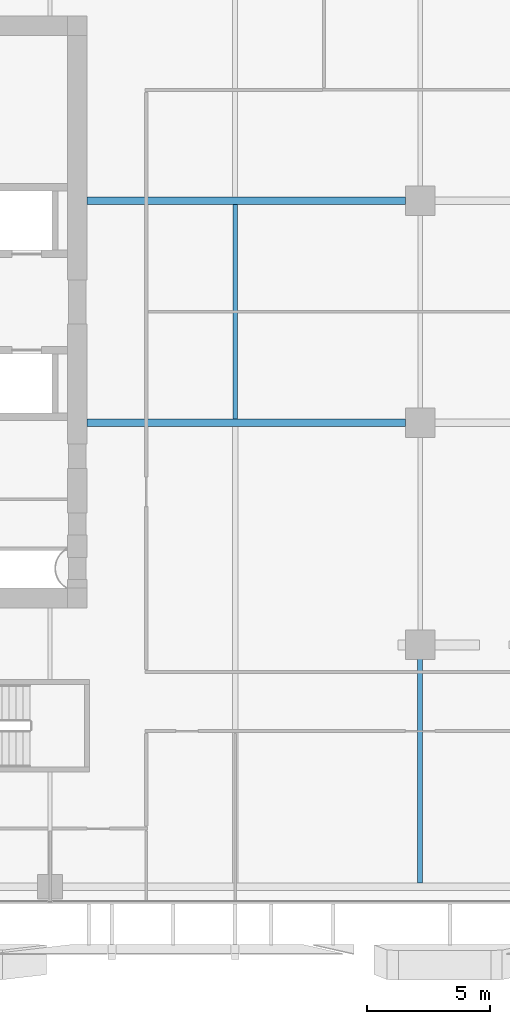
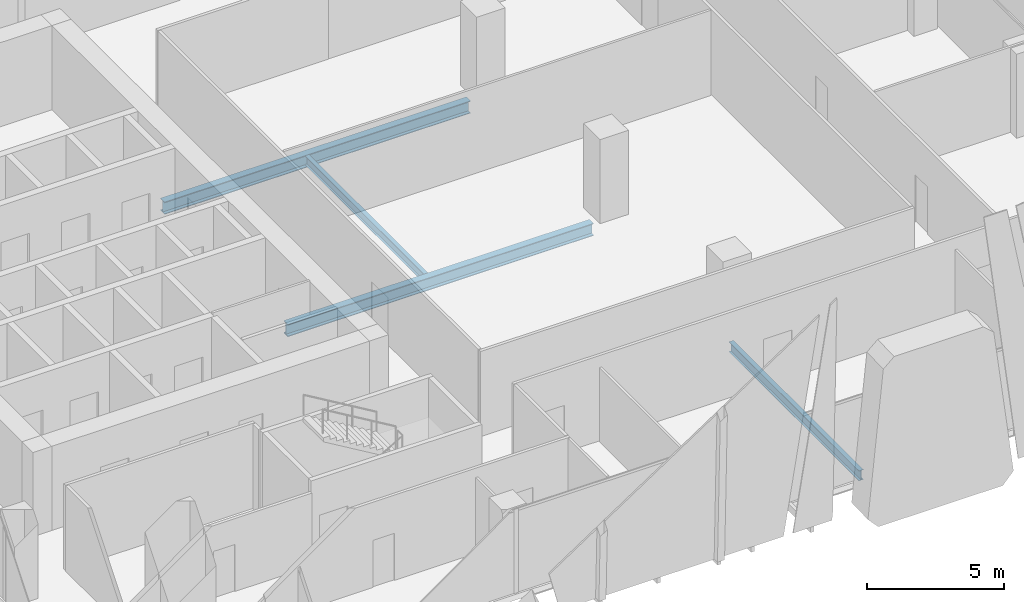
# One storey, part 8 of 35: 4 beams.
"""IFC4 building model written with IfcOpenShell, lengths in metres."""

from ifc_helpers import new_model, si_unit, direction, frame, origin, origin_2d, place, context, subcontext, project, spatial, i_section, extrude, source, transform, mapped, material, material_profile, profile_set, type_object, element, save


model = new_model("IFC4")

# Units and contexts
model_context = context("Model", 3, precision=1e-05, world=origin(), true_north=direction((0.0, 1.0)))
body_context = subcontext(model_context, "Body", "Model", "MODEL_VIEW")
ifc_project = project(units=[si_unit("LENGTHUNIT", "METRE"), si_unit("AREAUNIT", "SQUARE_METRE"), si_unit("VOLUMEUNIT", "CUBIC_METRE"), si_unit("PLANEANGLEUNIT", "RADIAN"), si_unit("MASSUNIT", "GRAM", prefix="KILO")], contexts=[model_context])

# Site, building, storey
site_placement = place(None, origin())
site = spatial("IfcSite", under=ifc_project, at=site_placement, CompositionType="ELEMENT")
building_placement = place(site_placement, origin())
building = spatial("IfcBuilding", under=site, at=building_placement, Name="Khomas Fold Tower", CompositionType="ELEMENT")
storey_placement = place(building_placement, frame((0.0, 0.0, 188.699951171875)))
storey = spatial("IfcBuildingStorey", under=building, at=storey_placement, Name="L41", CompositionType="ELEMENT", Elevation=188.699951171875)

# Beams
ifc_material_1 = material(Name="Steel S355", Category="steel")
ifc_material_profile_1 = material_profile(ifc_material_1, i_section(OverallWidth=0.179931640625, OverallDepth=0.39990234375, WebThickness=0.008544921875, FlangeThickness=0.013427734375, at=origin_2d()), Name="IPE 400")
ifc_profile_set_1 = profile_set([ifc_material_profile_1], Name="Steel S355")
beam_type_1 = type_object("IfcBeamType", Name="IPE 400 beam JB3", PredefinedType="BEAM", material=ifc_profile_set_1)
shared_shape_1 = source(origin(), body_context, "Body", "SweptSolid", [
    extrude(i_section(OverallWidth=0.179931640625, OverallDepth=0.39990234375, WebThickness=0.008544921875, FlangeThickness=0.013427734375, at=origin_2d()), origin(), (0.0, 0.0, 1.0), 8.7001953125),
])
beam_1_placement = place(storey_placement, frame((27.0, 22.64990234375, -0.449951171875), z_axis=(0.0, 1.0, 0.0), x_axis=(-1.0, 0.0, 0.0)))
element("IfcBeam", 1, at=beam_1_placement, inside=storey, type_object=beam_type_1, Name="JB3", PredefinedType="BEAM", context=body_context, shape_type="MappedRepresentation", body=[
    mapped(shared_shape_1, transform((0.0, 0.0, 0.0))),
])
ifc_material_2 = material(Name="Steel S355", Category="steel")
ifc_material_profile_2 = material_profile(ifc_material_2, i_section(OverallWidth=0.300048828125, OverallDepth=0.550048828125, WebThickness=0.014892578125, FlangeThickness=0.029052734375, at=origin_2d()), Name="HE 550 B")
ifc_profile_set_2 = profile_set([ifc_material_profile_2], Name="Steel S355")
beam_type_2 = type_object("IfcBeamType", Name="HE 550 B beam GB4", PredefinedType="BEAM", material=ifc_profile_set_2)
shared_shape_2 = source(origin(), body_context, "Body", "SweptSolid", [
    extrude(i_section(OverallWidth=0.300048828125, OverallDepth=0.550048828125, WebThickness=0.014892578125, FlangeThickness=0.029052734375, at=origin_2d()), origin(), (0.0, 0.0, 1.0), 12.89990234375),
])
for number, where, z_axis, x_axis, name in (
    (2, (21.0, 22.5, -0.52490234375), (1.0, 0.0, 0.0), (0.0, 1.0, 0.0), "GB4"),
    (3, (21.0, 31.5, -0.52490234375), (1.0, 0.0, 0.0), (0.0, 1.0, 0.0), "GB4"),
):
    element("IfcBeam", number, at=place(storey_placement, frame(where, z_axis=z_axis, x_axis=x_axis)), inside=storey, type_object=beam_type_2, Name=name, PredefinedType="BEAM", context=body_context, shape_type="MappedRepresentation", body=[
        mapped(shared_shape_2, transform((0.0, 0.0, 0.0))),
    ])
ifc_material_3 = material(Name="Steel S355", Category="steel")
ifc_material_profile_3 = material_profile(ifc_material_3, i_section(OverallWidth=0.18994140625, OverallDepth=0.449951171875, WebThickness=0.009521484375, FlangeThickness=0.0146484375, at=origin_2d()), Name="IPE 450")
ifc_profile_set_3 = profile_set([ifc_material_profile_3], Name="Steel S355")
beam_type_3 = type_object("IfcBeamType", Name="IPE 450 beam JB4", PredefinedType="BEAM", material=ifc_profile_set_3)
shared_shape_3 = source(origin(), body_context, "Body", "SweptSolid", [
    extrude(i_section(OverallWidth=0.18994140625, OverallDepth=0.449951171875, WebThickness=0.009521484375, FlangeThickness=0.0146484375, at=origin_2d()), origin(), (0.0, 0.0, 1.0), 9.5),
])
beam_2_placement = place(storey_placement, frame((34.5, 3.85009765625, -0.474853515625), z_axis=(0.0, 1.0, 0.0), x_axis=(-1.0, 0.0, 0.0)))
element("IfcBeam", 4, at=beam_2_placement, inside=storey, type_object=beam_type_3, Name="JB4", PredefinedType="BEAM", context=body_context, shape_type="MappedRepresentation", body=[
    mapped(shared_shape_3, transform((0.0, 0.0, 0.0))),
])

save(model, "model.ifc")
